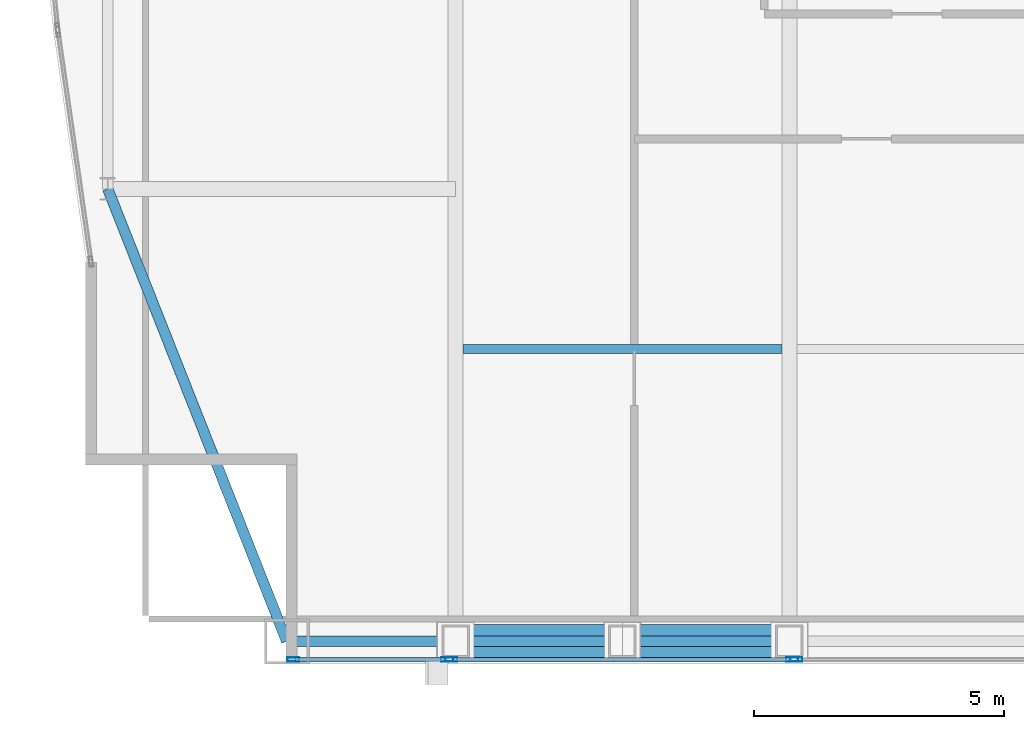
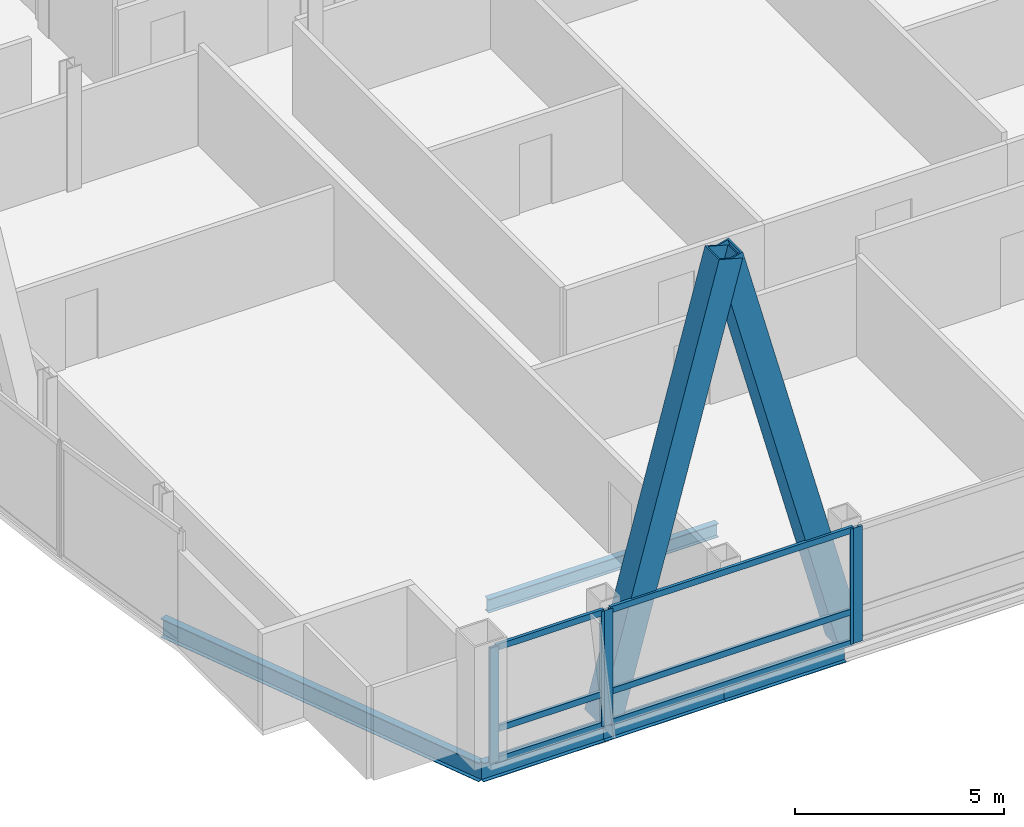
# One storey, part 4 of 29: 13 members, 5 beams, 3 elements without a shape of their own.
"""IFC4 building model written with IfcOpenShell, lengths in metres."""

from ifc_helpers import new_model, si_unit, direction, frame, origin, origin_2d, place, context, subcontext, project, spatial, hollow_rectangle, i_section, extrude, material, material_profile, profile_set, type_object, element, aggregate, save


model = new_model("IFC4")

# Units and contexts
model_context = context("Model", 3, precision=1e-05, world=origin(), true_north=direction((0.0, 1.0)))
body_context = subcontext(model_context, "Body", "Model", "MODEL_VIEW")
ifc_project = project(units=[si_unit("LENGTHUNIT", "METRE"), si_unit("AREAUNIT", "SQUARE_METRE"), si_unit("VOLUMEUNIT", "CUBIC_METRE"), si_unit("PLANEANGLEUNIT", "RADIAN"), si_unit("MASSUNIT", "GRAM", prefix="KILO")], contexts=[model_context])

# Site, building, storey
site_placement = place(None, origin())
site = spatial("IfcSite", under=ifc_project, at=site_placement, CompositionType="ELEMENT")
building_placement = place(site_placement, origin())
building = spatial("IfcBuilding", under=site, at=building_placement, Name="Khoronbel Lancet Exchange", CompositionType="ELEMENT")
storey_placement = place(building_placement, frame((0.0, 0.0, 302.199951171875)))
storey = spatial("IfcBuildingStorey", under=building, at=storey_placement, Name="L78", CompositionType="ELEMENT", Elevation=302.199951171875)

# Beams
ifc_material_1 = material(Name="Steel S355", Category="steel")
ifc_material_profile_1 = material_profile(ifc_material_1, i_section(OverallWidth=0.179931640625, OverallDepth=0.39990234375, WebThickness=0.008544921875, FlangeThickness=0.013427734375, at=origin_2d()), Name="IPE 400")
ifc_profile_set_1 = profile_set([ifc_material_profile_1], Name="Steel S355")
beam_type_1 = type_object("IfcBeamType", Name="BM-BJ5", PredefinedType="JOIST", material=ifc_profile_set_1)
beam_1_placement = place(storey_placement, frame((18.375, 16.0, -0.35986328125), z_axis=(1.0, 0.0, 0.0), x_axis=(0.0, 1.0, 0.0)))
element("IfcBeam", 1, at=beam_1_placement, inside=storey, type_object=beam_type_1, Name="Level L78 secondary composite joist J01", PredefinedType="JOIST", context=body_context, shape_type="SweptSolid", body=[
    extrude(i_section(OverallWidth=0.179931640625, OverallDepth=0.39990234375, WebThickness=0.008544921875, FlangeThickness=0.013427734375, at=origin_2d()), origin(), (0.0, 0.0, 1.0), 6.375),
])
ifc_material_profile_2 = material_profile(ifc_material_1, i_section(OverallWidth=0.2099609375, OverallDepth=0.550048828125, WebThickness=0.010986328125, FlangeThickness=0.01708984375, at=origin_2d()), Name="IPE 550")
ifc_profile_set_2 = profile_set([ifc_material_profile_2], Name="Steel S355")
beam_type_2 = type_object("IfcBeamType", Name="BM-BSP3", PredefinedType="SPANDREL", material=ifc_profile_set_2)
beam_2_placement = place(storey_placement, frame((14.85009765625, 10.14990234375, -0.43505859375), z_axis=(1.0, 0.0, 0.0), x_axis=(0.0, 1.0, 0.0)))
element("IfcBeam", 2, at=beam_2_placement, inside=storey, type_object=beam_type_2, Name="Level L78 perimeter spandrel beam SP01", PredefinedType="SPANDREL", context=body_context, shape_type="SweptSolid", body=[
    extrude(i_section(OverallWidth=0.2099609375, OverallDepth=0.550048828125, WebThickness=0.010986328125, FlangeThickness=0.01708984375, at=origin_2d()), origin(), (0.0, 0.0, 1.0), 3.375),
])
for number, where, z_axis, x_axis, name in (
    (3, (18.22509765625, 10.14990234375, -0.43505859375), (1.0, 0.0, 0.0), (0.0, 1.0, 0.0), "Level L78 perimeter spandrel beam SP02"),
    (4, (21.5625, 10.14990234375, -0.43505859375), (1.0, 0.0, 0.0), (0.0, 1.0, 0.0), "Level L78 perimeter spandrel beam SP03"),
):
    element("IfcBeam", number, at=place(storey_placement, frame(where, z_axis=z_axis, x_axis=x_axis)), inside=storey, type_object=beam_type_2, Name=name, PredefinedType="SPANDREL", context=body_context, shape_type="SweptSolid", body=[
        extrude(i_section(OverallWidth=0.2099609375, OverallDepth=0.550048828125, WebThickness=0.010986328125, FlangeThickness=0.01708984375, at=origin_2d()), origin(), (0.0, 0.0, 1.0), 3.33740234375),
    ])
beam_3_placement = place(storey_placement, frame((11.27001953125, 19.199951171875, -0.43505859375), z_axis=(0.367850095026, -0.92988510451, 0.0), x_axis=(0.92988510451, 0.367850095026, 0.0)))
element("IfcBeam", 5, at=beam_3_placement, inside=storey, type_object=beam_type_2, Name="Level L78 perimeter spandrel beam SP21", PredefinedType="SPANDREL", context=body_context, shape_type="SweptSolid", body=[
    extrude(i_section(OverallWidth=0.2099609375, OverallDepth=0.550048828125, WebThickness=0.010986328125, FlangeThickness=0.01708984375, at=origin_2d()), origin(), (0.0, 0.0, 1.0), 9.732421875),
])

# Curtain wall, members
ifc_material_2 = material(Name="Low-E Solar Control Insulating Glass", Category="glass")
curtain_wall_type = type_object("IfcCurtainWallType", Name="CW-3", PredefinedType="NOTDEFINED", material=ifc_material_2)
curtain_wall_1_placement = place(storey_placement, origin())
curtain_wall_1 = element("IfcCurtainWall", 6, at=curtain_wall_1_placement, inside=storey, type_object=curtain_wall_type, Name="Unitised curtain wall CW-L78-SWV", PredefinedType="NOTDEFINED")
ifc_material_3 = material(Name="Bronze-Anodised Aluminium 6063-T6", Category="aluminium")
ifc_material_profile_3 = material_profile(ifc_material_3, hollow_rectangle(XDim=0.0849609375, YDim=0.239990234375, WallThickness=0.006103515625, at=origin_2d()), Name="ALU MULLION 85x240")
ifc_profile_set_3 = profile_set([ifc_material_profile_3], Name="Bronze-Anodised Aluminium 6063-T6")
member_type_1 = type_object("IfcMemberType", Name="MEM-CWM1", PredefinedType="MULLION", material=ifc_profile_set_3)
member_1_placement = place(storey_placement, frame((14.982421875, 9.7900390625, 0.0), z_axis=(0.0, 0.0, 1.0), x_axis=(0.0, 1.0, 0.0)))
member_1 = element("IfcMember", 7, at=member_1_placement, type_object=member_type_1, Name="CW3 mullion 1", PredefinedType="MULLION", context=body_context, shape_type="SweptSolid", body=[
    extrude(hollow_rectangle(XDim=0.0849609375, YDim=0.239990234375, WallThickness=0.006103515625, at=origin_2d()), origin(), (0.0, 0.0, 1.0), 3.380126953125),
])
member_2_placement = place(storey_placement, frame((18.0576171875, 9.7900390625, 0.0), z_axis=(0.0, 0.0, 1.0), x_axis=(0.0, 1.0, 0.0)))
member_2 = element("IfcMember", 8, at=member_2_placement, type_object=member_type_1, Name="CW3 mullion 2", PredefinedType="MULLION", context=body_context, shape_type="SweptSolid", body=[
    extrude(hollow_rectangle(XDim=0.0849609375, YDim=0.239990234375, WallThickness=0.006103515625, at=origin_2d()), origin(), (0.0, 0.0, 1.0), 3.380126953125),
])

curtain_wall_2_placement = place(storey_placement, origin())
curtain_wall_2 = element("IfcCurtainWall", 9, at=curtain_wall_2_placement, inside=storey, type_object=curtain_wall_type, Name="Unitised curtain wall CW-L78-SWB", PredefinedType="NOTDEFINED")
member_3_placement = place(storey_placement, frame((18.142578125, 9.7900390625, 0.0), z_axis=(0.0, 0.0, 1.0), x_axis=(0.0, 1.0, 0.0)))
member_3 = element("IfcMember", 10, at=member_3_placement, type_object=member_type_1, Name="CW3 mullion 1", PredefinedType="MULLION", context=body_context, shape_type="SweptSolid", body=[
    extrude(hollow_rectangle(XDim=0.0849609375, YDim=0.239990234375, WallThickness=0.006103515625, at=origin_2d()), origin(), (0.0, 0.0, 1.0), 3.380126953125),
])
member_4_placement = place(storey_placement, frame((24.95751953125, 9.7900390625, 0.0), z_axis=(0.0, 0.0, 1.0), x_axis=(0.0, 1.0, 0.0)))
member_4 = element("IfcMember", 11, at=member_4_placement, type_object=member_type_1, Name="CW3 mullion 2", PredefinedType="MULLION", context=body_context, shape_type="SweptSolid", body=[
    extrude(hollow_rectangle(XDim=0.0849609375, YDim=0.239990234375, WallThickness=0.006103515625, at=origin_2d()), origin(), (0.0, 0.0, 1.0), 3.380126953125),
])

# Curtain wall, member
curtain_wall_3_placement = place(storey_placement, origin())
curtain_wall_3 = element("IfcCurtainWall", 12, at=curtain_wall_3_placement, inside=storey, type_object=curtain_wall_type, Name="Unitised curtain wall CW-L78-SCV", PredefinedType="NOTDEFINED")
member_5_placement = place(storey_placement, frame((25.04248046875, 9.7900390625, 0.0), z_axis=(0.0, 0.0, 1.0), x_axis=(0.0, 1.0, 0.0)))
member_5 = element("IfcMember", 13, at=member_5_placement, type_object=member_type_1, Name="CW3 mullion 1", PredefinedType="MULLION", context=body_context, shape_type="SweptSolid", body=[
    extrude(hollow_rectangle(XDim=0.0849609375, YDim=0.239990234375, WallThickness=0.006103515625, at=origin_2d()), origin(), (0.0, 0.0, 1.0), 3.380126953125),
])
aggregate(curtain_wall_3, [member_5])

# Member
ifc_material_profile_4 = material_profile(ifc_material_3, hollow_rectangle(XDim=0.0849609375, YDim=0.179931640625, WallThickness=0.0048828125, at=origin_2d()), Name="ALU TRANSOM 85x180")
ifc_profile_set_4 = profile_set([ifc_material_profile_4], Name="Bronze-Anodised Aluminium 6063-T6")
member_type_2 = type_object("IfcMemberType", Name="MEM-CWT1", PredefinedType="USERDEFINED", material=ifc_profile_set_4)
member_6_placement = place(storey_placement, frame((15.02490234375, 9.7900390625, 0.04248046875), z_axis=(1.0, 0.0, 0.0), x_axis=(0.0, 1.0, 0.0)))
member_6 = element("IfcMember", 14, at=member_6_placement, type_object=member_type_2, Name="CW3 transom 1.1", ObjectType="TRANSOM", PredefinedType="USERDEFINED", context=body_context, shape_type="SweptSolid", body=[
    extrude(hollow_rectangle(XDim=0.0849609375, YDim=0.179931640625, WallThickness=0.0048828125, at=origin_2d()), origin(), (0.0, 0.0, 1.0), 2.989990234375),
])

member_7_placement = place(storey_placement, frame((15.02490234375, 9.7900390625, 0.949951171875), z_axis=(1.0, 0.0, 0.0), x_axis=(0.0, 1.0, 0.0)))
member_7 = element("IfcMember", 15, at=member_7_placement, type_object=member_type_2, Name="CW3 transom 1.2", ObjectType="TRANSOM", PredefinedType="USERDEFINED", context=body_context, shape_type="SweptSolid", body=[
    extrude(hollow_rectangle(XDim=0.0849609375, YDim=0.179931640625, WallThickness=0.0048828125, at=origin_2d()), origin(), (0.0, 0.0, 1.0), 2.989990234375),
])

member_8_placement = place(storey_placement, frame((15.02490234375, 9.7900390625, 3.337646484375), z_axis=(1.0, 0.0, 0.0), x_axis=(0.0, 1.0, 0.0)))
member_8 = element("IfcMember", 16, at=member_8_placement, type_object=member_type_2, Name="CW3 transom 1.3", ObjectType="TRANSOM", PredefinedType="USERDEFINED", context=body_context, shape_type="SweptSolid", body=[
    extrude(hollow_rectangle(XDim=0.0849609375, YDim=0.179931640625, WallThickness=0.0048828125, at=origin_2d()), origin(), (0.0, 0.0, 1.0), 2.989990234375),
])

aggregate(curtain_wall_1, [member_1, member_2, member_6, member_7, member_8])

member_9_placement = place(storey_placement, frame((18.18505859375, 9.7900390625, 0.04248046875), z_axis=(1.0, 0.0, 0.0), x_axis=(0.0, 1.0, 0.0)))
member_9 = element("IfcMember", 17, at=member_9_placement, type_object=member_type_2, Name="CW3 transom 1.1", ObjectType="TRANSOM", PredefinedType="USERDEFINED", context=body_context, shape_type="SweptSolid", body=[
    extrude(hollow_rectangle(XDim=0.0849609375, YDim=0.179931640625, WallThickness=0.0048828125, at=origin_2d()), origin(), (0.0, 0.0, 1.0), 6.72998046875),
])

member_10_placement = place(storey_placement, frame((18.18505859375, 9.7900390625, 0.949951171875), z_axis=(1.0, 0.0, 0.0), x_axis=(0.0, 1.0, 0.0)))
member_10 = element("IfcMember", 18, at=member_10_placement, type_object=member_type_2, Name="CW3 transom 1.2", ObjectType="TRANSOM", PredefinedType="USERDEFINED", context=body_context, shape_type="SweptSolid", body=[
    extrude(hollow_rectangle(XDim=0.0849609375, YDim=0.179931640625, WallThickness=0.0048828125, at=origin_2d()), origin(), (0.0, 0.0, 1.0), 6.72998046875),
])

member_11_placement = place(storey_placement, frame((18.18505859375, 9.7900390625, 3.337646484375), z_axis=(1.0, 0.0, 0.0), x_axis=(0.0, 1.0, 0.0)))
member_11 = element("IfcMember", 19, at=member_11_placement, type_object=member_type_2, Name="CW3 transom 1.3", ObjectType="TRANSOM", PredefinedType="USERDEFINED", context=body_context, shape_type="SweptSolid", body=[
    extrude(hollow_rectangle(XDim=0.0849609375, YDim=0.179931640625, WallThickness=0.0048828125, at=origin_2d()), origin(), (0.0, 0.0, 1.0), 6.72998046875),
])

aggregate(curtain_wall_2, [member_3, member_4, member_9, member_10, member_11])

# Members
ifc_material_4 = material(Name="Steel S460", Category="steel")
ifc_material_profile_5 = material_profile(ifc_material_4, hollow_rectangle(XDim=0.679931640625, YDim=0.679931640625, WallThickness=0.044921875, at=origin_2d()), Name="BOX 680x680x45")
ifc_profile_set_5 = profile_set([ifc_material_profile_5], Name="Steel S460")
member_type_3 = type_object("IfcMemberType", Name="MEM-MB3", PredefinedType="BRACE", material=ifc_profile_set_5)
for number, where, z_axis, x_axis, name in (
    (20, (18.22509765625, 10.14990234375, 0.0), (0.259893700935, 0.0, 0.965637232202), (0.0, 1.0, 0.0), "Perimeter lancet brace tier 27 S-W-L"),
    (21, (24.89990234375, 10.14990234375, 0.0), (-0.259893700935, 0.0, 0.965637232202), (0.0, -1.0, 0.0), "Perimeter lancet brace tier 27 S-W-R"),
):
    element("IfcMember", number, at=place(storey_placement, frame(where, z_axis=z_axis, x_axis=x_axis)), inside=storey, type_object=member_type_3, Name=name, PredefinedType="BRACE", context=body_context, shape_type="SweptSolid", body=[
        extrude(hollow_rectangle(XDim=0.679931640625, YDim=0.679931640625, WallThickness=0.044921875, at=origin_2d()), origin(), (0.0, 0.0, 1.0), 12.84130859375),
    ])

save(model, "model.ifc")
